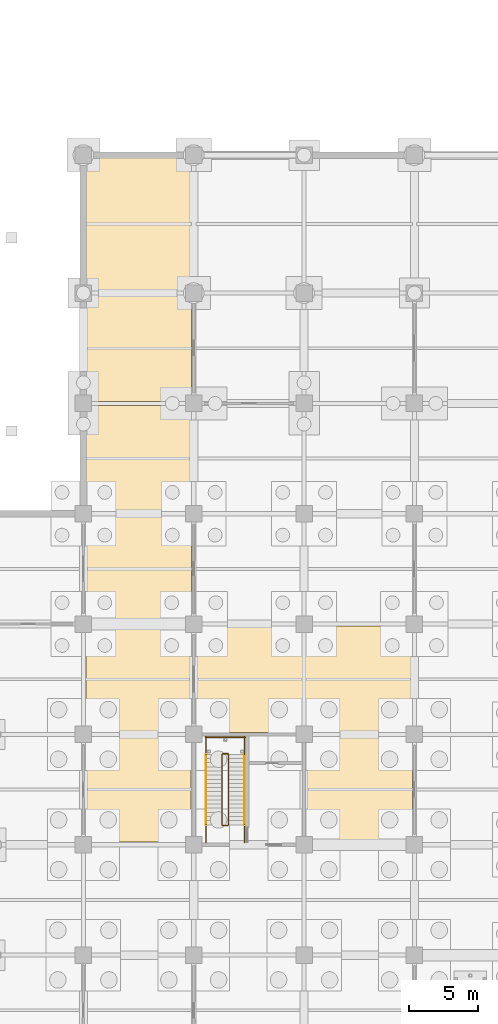
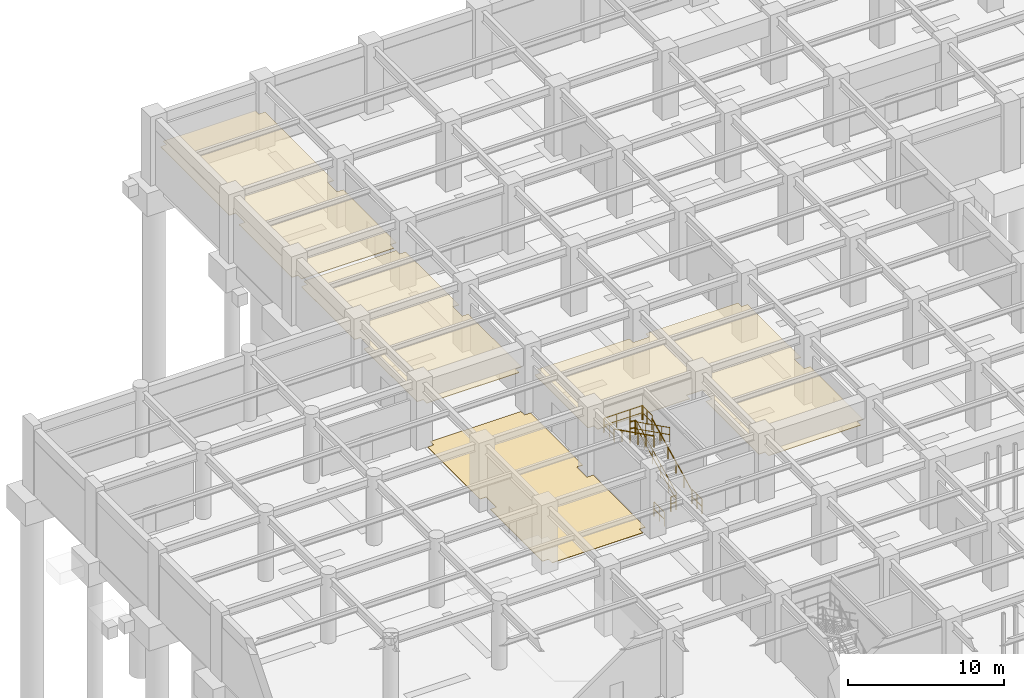
# One storey, part 95 of 97: 11 railings, 4 coverings.
"""IFC4 building model written with IfcOpenShell, lengths in metres."""

from ifc_helpers import new_model, si_unit, direction, frame, origin, origin_2d, place, context, subcontext, project, spatial, polyline, circle, outline, extrude, material, layer, layer_set, type_object, element, save


model = new_model("IFC4")

# Units and contexts
model_context = context("Model", 3, precision=1e-05, world=origin(), true_north=direction((0.0, 1.0)))
body_context = subcontext(model_context, "Body", "Model", "MODEL_VIEW")
ifc_project = project(units=[si_unit("LENGTHUNIT", "METRE"), si_unit("AREAUNIT", "SQUARE_METRE"), si_unit("VOLUMEUNIT", "CUBIC_METRE"), si_unit("PLANEANGLEUNIT", "RADIAN"), si_unit("MASSUNIT", "GRAM", prefix="KILO")], contexts=[model_context])

# Site, building, storey
site_placement = place(None, origin())
site = spatial("IfcSite", under=ifc_project, at=site_placement, CompositionType="ELEMENT")
building_placement = place(site_placement, origin())
building = spatial("IfcBuilding", under=site, at=building_placement, Name="Haebicheon Civic Stadium", CompositionType="ELEMENT")
storey_placement = place(building_placement, frame((0.0, 0.0, -5.39990234375)))
storey = spatial("IfcBuildingStorey", under=building, at=storey_placement, Name="B1", CompositionType="ELEMENT", Elevation=-5.39990234375)

# Coverings
ifc_material_1 = material(Name="Perforated mineral-fibre acoustic board", Category="gypsum")
ifc_layer_1 = layer(ifc_material_1, 0.0400390625, Name="Perforated mineral-fibre acoustic board")
ifc_layer_set_1 = layer_set([ifc_layer_1], Name="Perforated mineral-fibre acoustic board")
covering_type_1 = type_object("IfcCoveringType", Name="COV-CLG-AC", PredefinedType="CEILING", material=ifc_layer_set_1)
covering_1_placement = place(storey_placement, frame((0.0, 0.0, 2.809814453125)))
element("IfcCovering", 1, at=covering_1_placement, inside=storey, type_object=covering_type_1, material=ifc_layer_set_1, Name="B1 Athlete Indoor Warm-Up Sprint Hall acoustic ceiling", PredefinedType="CEILING", context=body_context, shape_type="SweptSolid", body=[
    extrude(outline(polyline([(24.594970703125, 144.14501953125), (24.594970703125, 144.594970703125), (24.14501953125, 144.594970703125), (24.14501953125, 151.405029296875), (24.594970703125, 151.405029296875), (24.594970703125, 152.594970703125), (24.14501953125, 152.594970703125), (24.14501953125, 159.405029296875), (24.594970703125, 159.405029296875), (24.594970703125, 159.85498046875), (31.405029296875, 159.85498046875), (31.405029296875, 159.405029296875), (31.85498046875, 159.405029296875), (31.85498046875, 152.594970703125), (31.405029296875, 152.594970703125), (31.405029296875, 151.405029296875), (31.85498046875, 151.405029296875), (31.85498046875, 144.594970703125), (31.405029296875, 144.594970703125), (31.405029296875, 144.14501953125), (24.594970703125, 144.14501953125)])), origin(), (0.0, 0.0, 1.0), 0.0400390625),
])
covering_2_placement = place(storey_placement, frame((0.0, 0.0, 2.809814453125)))
element("IfcCovering", 2, at=covering_2_placement, inside=storey, type_object=covering_type_1, material=ifc_layer_set_1, Name="B1 Match Officials Locker Suite acoustic ceiling", PredefinedType="CEILING", context=body_context, shape_type="SweptSolid", body=[
    extrude(outline(polyline([(24.594970703125, 160.14501953125), (24.594970703125, 160.594970703125), (24.14501953125, 160.594970703125), (24.14501953125, 167.405029296875), (24.594970703125, 167.405029296875), (24.594970703125, 168.594970703125), (24.14501953125, 168.594970703125), (24.14501953125, 177.405029296875), (24.594970703125, 177.405029296875), (24.594970703125, 177.85498046875), (31.405029296875, 177.85498046875), (31.405029296875, 177.405029296875), (31.85498046875, 177.405029296875), (31.85498046875, 168.594970703125), (31.405029296875, 168.594970703125), (31.405029296875, 167.405029296875), (31.85498046875, 167.405029296875), (31.85498046875, 160.594970703125), (31.405029296875, 160.594970703125), (31.405029296875, 160.14501953125), (24.594970703125, 160.14501953125)])), origin(), (0.0, 0.0, 1.0), 0.0400390625),
])
covering_3_placement = place(storey_placement, frame((0.0, 0.0, 2.809814453125)))
element("IfcCovering", 3, at=covering_3_placement, inside=storey, type_object=covering_type_1, material=ifc_layer_set_1, Name="B1 Post-Match Press Conference Hall acoustic ceiling", PredefinedType="CEILING", context=body_context, shape_type="SweptSolid", body=[
    extrude(outline(polyline([(40.594970703125, 128.14501953125), (40.594970703125, 128.594970703125), (40.14501953125, 128.594970703125), (40.14501953125, 135.405029296875), (40.594970703125, 135.405029296875), (40.594970703125, 136.594970703125), (39.405029296875, 136.594970703125), (39.405029296875, 136.14501953125), (32.594970703125, 136.14501953125), (32.594970703125, 136.594970703125), (32.14501953125, 136.594970703125), (32.14501953125, 143.405029296875), (32.594970703125, 143.405029296875), (32.594970703125, 143.85498046875), (39.405029296875, 143.85498046875), (39.405029296875, 143.405029296875), (40.594970703125, 143.405029296875), (40.594970703125, 143.85498046875), (47.405029296875, 143.85498046875), (47.405029296875, 143.405029296875), (47.85498046875, 143.405029296875), (47.85498046875, 136.594970703125), (47.405029296875, 136.594970703125), (47.405029296875, 135.405029296875), (47.85498046875, 135.405029296875), (47.85498046875, 128.594970703125), (47.405029296875, 128.594970703125), (47.405029296875, 128.14501953125), (40.594970703125, 128.14501953125)])), origin(), (0.0, 0.0, 1.0), 0.0400390625),
])
ifc_material_2 = material(Name="Quartz epoxy resin mortar", Category="concrete")
ifc_layer_2 = layer(ifc_material_2, 0.030029296875, Name="Quartz epoxy resin mortar")
ifc_layer_set_2 = layer_set([ifc_layer_2], Name="Quartz epoxy resin mortar")
covering_type_2 = type_object("IfcCoveringType", Name="COV-FLR-EPX", PredefinedType="FLOORING", material=ifc_layer_set_2)
covering_4_placement = place(storey_placement, origin())
element("IfcCovering", 4, at=covering_4_placement, inside=storey, type_object=covering_type_2, material=ifc_layer_set_2, Name="B1 Visiting Team Changing Room non-slip floor finish", PredefinedType="FLOORING", context=body_context, shape_type="SweptSolid", body=[
    extrude(outline(polyline([(24.64990234375, 128.199951171875), (24.64990234375, 128.64990234375), (24.199951171875, 128.64990234375), (24.199951171875, 135.35009765625), (24.64990234375, 135.35009765625), (24.64990234375, 136.64990234375), (24.199951171875, 136.64990234375), (24.199951171875, 143.35009765625), (24.64990234375, 143.35009765625), (24.64990234375, 143.800048828125), (31.35009765625, 143.800048828125), (31.35009765625, 143.35009765625), (31.800048828125, 143.35009765625), (31.800048828125, 136.64990234375), (31.35009765625, 136.64990234375), (31.35009765625, 135.35009765625), (31.800048828125, 135.35009765625), (31.800048828125, 128.64990234375), (31.35009765625, 128.64990234375), (31.35009765625, 128.199951171875), (24.64990234375, 128.199951171875)])), origin(), (0.0, 0.0, 1.0), 0.02978515625),
])

# Railings
ifc_material_3 = material(Name="Galvanised painted steel SM355", Category="steel")
railing_type_1 = type_object("IfcRailingType", Name="RL-GRD-1150", PredefinedType="GUARDRAIL", material=ifc_material_3)
railing_1_placement = place(storey_placement, frame((34.530029296875, 129.449951171875, 0.14990234375)))
element("IfcRailing", 5, at=railing_1_placement, inside=storey, type_object=railing_type_1, material=ifc_material_3, Name="B1 ST-05 stair guard 1", PredefinedType="GUARDRAIL", context=body_context, shape_type="SweptSolid", body=[
    extrude(circle(Radius=0.02392578125, at=origin_2d()), frame((0.0, 0.0, 1.1259765625), z_axis=(0.0, 0.894427191, 0.4472135955), x_axis=(-1.0, 0.0, 0.0)), (0.0, 0.0, 1.0), 5.7021484375),
    extrude(circle(Radius=0.02392578125, at=origin_2d()), frame((0.0, 0.0, 0.574951171875), z_axis=(0.0, 0.894427191, 0.4472135955), x_axis=(-1.0, 0.0, 0.0)), (0.0, 0.0, 1.0), 5.7021484375),
    extrude(circle(Radius=0.02099609375, at=origin_2d()), origin(), (0.0, 0.0, 1.0), 1.101806640625),
    extrude(circle(Radius=0.02099609375, at=origin_2d()), frame((0.0, 1.02001953125, 0.510009765625)), (0.0, 0.0, 1.0), 1.101806640625),
    extrude(circle(Radius=0.02099609375, at=origin_2d()), frame((0.0, 2.0400390625, 1.02001953125)), (0.0, 0.0, 1.0), 1.101806640625),
    extrude(circle(Radius=0.02099609375, at=origin_2d()), frame((0.0, 3.06005859375, 1.530029296875)), (0.0, 0.0, 1.0), 1.101806640625),
    extrude(circle(Radius=0.02099609375, at=origin_2d()), frame((0.0, 4.080078125, 2.0400390625)), (0.0, 0.0, 1.0), 1.101806640625),
    extrude(circle(Radius=0.02099609375, at=origin_2d()), frame((0.0, 5.10009765625, 2.550048828125)), (0.0, 0.0, 1.0), 1.101806640625),
])
railing_2_placement = place(storey_placement, frame((34.47998046875, 134.60009765625, 2.699951171875)))
element("IfcRailing", 6, at=railing_2_placement, inside=storey, type_object=railing_type_1, material=ifc_material_3, Name="B1 ST-05 stair guard 2", PredefinedType="GUARDRAIL", context=body_context, shape_type="SweptSolid", body=[
    extrude(circle(Radius=0.02392578125, at=origin_2d()), frame((0.0, 0.0, 1.1259765625), z_axis=(-1.0, 0.0, 0.0), x_axis=(0.0, -1.0, 0.0)), (0.0, 0.0, 1.0), 0.3798828125),
    extrude(circle(Radius=0.02392578125, at=origin_2d()), frame((0.0, 0.0, 0.574951171875), z_axis=(-1.0, 0.0, 0.0), x_axis=(0.0, -1.0, 0.0)), (0.0, 0.0, 1.0), 0.3798828125),
    extrude(circle(Radius=0.02099609375, at=origin_2d()), origin(), (0.0, 0.0, 1.0), 1.101806640625),
    extrude(circle(Radius=0.02099609375, at=origin_2d()), frame((-0.3798828125, 0.0, 0.0)), (0.0, 0.0, 1.0), 1.101806640625),
])
for number, where, name in (
    (7, (35.68994140625, 134.550048828125, 2.699951171875), "B1 ST-05 stair guard 3"),
    (8, (32.889892578125, 134.550048828125, 2.699951171875), "B1 ST-05 stair guard 4"),
):
    element("IfcRailing", number, at=place(storey_placement, frame(where)), inside=storey, type_object=railing_type_1, material=ifc_material_3, Name=name, PredefinedType="GUARDRAIL", context=body_context, shape_type="SweptSolid", body=[
        extrude(circle(Radius=0.02392578125, at=origin_2d()), frame((0.0, 0.0, 1.1259765625), z_axis=(0.0, 1.0, 0.0), x_axis=(-1.0, 0.0, 0.0)), (0.0, 0.0, 1.0), 1.2900390625),
        extrude(circle(Radius=0.02392578125, at=origin_2d()), frame((0.0, 0.0, 0.574951171875), z_axis=(0.0, 1.0, 0.0), x_axis=(-1.0, 0.0, 0.0)), (0.0, 0.0, 1.0), 1.2900390625),
        extrude(circle(Radius=0.02099609375, at=origin_2d()), origin(), (0.0, 0.0, 1.0), 1.101806640625),
        extrude(circle(Radius=0.02099609375, at=origin_2d()), frame((0.0, 0.64501953125, 0.0)), (0.0, 0.0, 1.0), 1.101806640625),
        extrude(circle(Radius=0.02099609375, at=origin_2d()), frame((0.0, 1.2900390625, 0.0)), (0.0, 0.0, 1.0), 1.101806640625),
    ])
railing_3_placement = place(storey_placement, frame((35.739990234375, 135.7900390625, 2.699951171875)))
element("IfcRailing", 9, at=railing_3_placement, inside=storey, type_object=railing_type_1, material=ifc_material_3, Name="B1 ST-05 stair guard 5", PredefinedType="GUARDRAIL", context=body_context, shape_type="SweptSolid", body=[
    extrude(circle(Radius=0.02392578125, at=origin_2d()), frame((0.0, 0.0, 1.1259765625), z_axis=(-1.0, 0.0, 0.0), x_axis=(0.0, -1.0, 0.0)), (0.0, 0.0, 1.0), 2.89990234375),
    extrude(circle(Radius=0.02392578125, at=origin_2d()), frame((0.0, 0.0, 0.574951171875), z_axis=(-1.0, 0.0, 0.0), x_axis=(0.0, -1.0, 0.0)), (0.0, 0.0, 1.0), 2.89990234375),
    extrude(circle(Radius=0.02099609375, at=origin_2d()), origin(), (0.0, 0.0, 1.0), 1.101806640625),
    extrude(circle(Radius=0.02099609375, at=origin_2d()), frame((-0.966552734375, 0.0, 0.0)), (0.0, 0.0, 1.0), 1.101806640625),
    extrude(circle(Radius=0.02099609375, at=origin_2d()), frame((-1.933349609375, 0.0, 0.0)), (0.0, 0.0, 1.0), 1.101806640625),
    extrude(circle(Radius=0.02099609375, at=origin_2d()), frame((-2.89990234375, 0.0, 0.0)), (0.0, 0.0, 1.0), 1.101806640625),
])
railing_4_placement = place(storey_placement, frame((34.050048828125, 134.550048828125, 2.849853515625)))
element("IfcRailing", 10, at=railing_4_placement, inside=storey, type_object=railing_type_1, material=ifc_material_3, Name="B1 ST-05 stair guard 6", PredefinedType="GUARDRAIL", context=body_context, shape_type="SweptSolid", body=[
    extrude(circle(Radius=0.02392578125, at=origin_2d()), frame((0.0, 0.0, 1.1259765625), z_axis=(0.0, -0.894427191, 0.4472135955), x_axis=(1.0, 0.0, 0.0)), (0.0, 0.0, 1.0), 5.7021484375),
    extrude(circle(Radius=0.02392578125, at=origin_2d()), frame((0.0, 0.0, 0.574951171875), z_axis=(0.0, -0.894427191, 0.4472135955), x_axis=(1.0, 0.0, 0.0)), (0.0, 0.0, 1.0), 5.7021484375),
    extrude(circle(Radius=0.02099609375, at=origin_2d()), origin(), (0.0, 0.0, 1.0), 1.101806640625),
    extrude(circle(Radius=0.02099609375, at=origin_2d()), frame((0.0, -1.02001953125, 0.510009765625)), (0.0, 0.0, 1.0), 1.101806640625),
    extrude(circle(Radius=0.02099609375, at=origin_2d()), frame((0.0, -2.0400390625, 1.02001953125)), (0.0, 0.0, 1.0), 1.101806640625),
    extrude(circle(Radius=0.02099609375, at=origin_2d()), frame((0.0, -3.06005859375, 1.530029296875)), (0.0, 0.0, 1.0), 1.101806640625),
    extrude(circle(Radius=0.02099609375, at=origin_2d()), frame((0.0, -4.080078125, 2.0400390625)), (0.0, 0.0, 1.0), 1.101806640625),
    extrude(circle(Radius=0.02099609375, at=origin_2d()), frame((0.0, -5.10009765625, 2.550048828125)), (0.0, 0.0, 1.0), 1.101806640625),
])
railing_5_placement = place(storey_placement, frame((34.47998046875, 129.39990234375, 0.0)))
element("IfcRailing", 11, at=railing_5_placement, inside=storey, type_object=railing_type_1, material=ifc_material_3, Name="B1 ST-05 stair guard 7", PredefinedType="GUARDRAIL", context=body_context, shape_type="SweptSolid", body=[
    extrude(circle(Radius=0.02392578125, at=origin_2d()), frame((0.0, 0.0, 1.1259765625), z_axis=(-1.0, 0.0, 0.0), x_axis=(0.0, -1.0, 0.0)), (0.0, 0.0, 1.0), 0.3798828125),
    extrude(circle(Radius=0.02392578125, at=origin_2d()), frame((0.0, 0.0, 0.574951171875), z_axis=(-1.0, 0.0, 0.0), x_axis=(0.0, -1.0, 0.0)), (0.0, 0.0, 1.0), 0.3798828125),
    extrude(circle(Radius=0.02099609375, at=origin_2d()), origin(), (0.0, 0.0, 1.0), 1.101806640625),
    extrude(circle(Radius=0.02099609375, at=origin_2d()), frame((-0.3798828125, 0.0, 0.0)), (0.0, 0.0, 1.0), 1.101806640625),
])
for number, where, name in (
    (12, (35.68994140625, 128.159912109375, 0.0), "B1 ST-05 stair guard 8"),
    (13, (32.889892578125, 128.159912109375, 0.0), "B1 ST-05 stair guard 9"),
):
    element("IfcRailing", number, at=place(storey_placement, frame(where)), inside=storey, type_object=railing_type_1, material=ifc_material_3, Name=name, PredefinedType="GUARDRAIL", context=body_context, shape_type="SweptSolid", body=[
        extrude(circle(Radius=0.02392578125, at=origin_2d()), frame((0.0, 0.0, 1.1259765625), z_axis=(0.0, 1.0, 0.0), x_axis=(-1.0, 0.0, 0.0)), (0.0, 0.0, 1.0), 1.2900390625),
        extrude(circle(Radius=0.02392578125, at=origin_2d()), frame((0.0, 0.0, 0.574951171875), z_axis=(0.0, 1.0, 0.0), x_axis=(-1.0, 0.0, 0.0)), (0.0, 0.0, 1.0), 1.2900390625),
        extrude(circle(Radius=0.02099609375, at=origin_2d()), origin(), (0.0, 0.0, 1.0), 1.101806640625),
        extrude(circle(Radius=0.02099609375, at=origin_2d()), frame((0.0, 0.64501953125, 0.0)), (0.0, 0.0, 1.0), 1.101806640625),
        extrude(circle(Radius=0.02099609375, at=origin_2d()), frame((0.0, 1.2900390625, 0.0)), (0.0, 0.0, 1.0), 1.101806640625),
    ])
ifc_material_4 = material(Name="Stainless steel 316", Category="steel")
railing_type_2 = type_object("IfcRailingType", Name="RL-HND-900", PredefinedType="HANDRAIL", material=ifc_material_4)
railing_6_placement = place(storey_placement, frame((35.68994140625, 129.449951171875, 0.14990234375)))
element("IfcRailing", 14, at=railing_6_placement, inside=storey, type_object=railing_type_2, material=ifc_material_4, Name="B1 ST-05 stair handrail 1", PredefinedType="HANDRAIL", context=body_context, shape_type="SweptSolid", body=[
    extrude(circle(Radius=0.02392578125, at=origin_2d()), frame((0.0, 0.0, 0.8759765625), z_axis=(0.0, 0.894427191, 0.4472135955), x_axis=(-1.0, 0.0, 0.0)), (0.0, 0.0, 1.0), 5.7021484375),
    extrude(circle(Radius=0.02099609375, at=origin_2d()), origin(), (0.0, 0.0, 1.0), 0.851806640625),
    extrude(circle(Radius=0.02099609375, at=origin_2d()), frame((0.0, 1.02001953125, 0.510009765625)), (0.0, 0.0, 1.0), 0.851806640625),
    extrude(circle(Radius=0.02099609375, at=origin_2d()), frame((0.0, 2.0400390625, 1.02001953125)), (0.0, 0.0, 1.0), 0.851806640625),
    extrude(circle(Radius=0.02099609375, at=origin_2d()), frame((0.0, 3.06005859375, 1.530029296875)), (0.0, 0.0, 1.0), 0.851806640625),
    extrude(circle(Radius=0.02099609375, at=origin_2d()), frame((0.0, 4.080078125, 2.0400390625)), (0.0, 0.0, 1.0), 0.851806640625),
    extrude(circle(Radius=0.02099609375, at=origin_2d()), frame((0.0, 5.10009765625, 2.550048828125)), (0.0, 0.0, 1.0), 0.851806640625),
])
railing_7_placement = place(storey_placement, frame((32.889892578125, 134.550048828125, 2.849853515625)))
element("IfcRailing", 15, at=railing_7_placement, inside=storey, type_object=railing_type_2, material=ifc_material_4, Name="B1 ST-05 stair handrail 2", PredefinedType="HANDRAIL", context=body_context, shape_type="SweptSolid", body=[
    extrude(circle(Radius=0.02392578125, at=origin_2d()), frame((0.0, 0.0, 0.8759765625), z_axis=(0.0, -0.894427191, 0.4472135955), x_axis=(1.0, 0.0, 0.0)), (0.0, 0.0, 1.0), 5.7021484375),
    extrude(circle(Radius=0.02099609375, at=origin_2d()), origin(), (0.0, 0.0, 1.0), 0.851806640625),
    extrude(circle(Radius=0.02099609375, at=origin_2d()), frame((0.0, -1.02001953125, 0.510009765625)), (0.0, 0.0, 1.0), 0.851806640625),
    extrude(circle(Radius=0.02099609375, at=origin_2d()), frame((0.0, -2.0400390625, 1.02001953125)), (0.0, 0.0, 1.0), 0.851806640625),
    extrude(circle(Radius=0.02099609375, at=origin_2d()), frame((0.0, -3.06005859375, 1.530029296875)), (0.0, 0.0, 1.0), 0.851806640625),
    extrude(circle(Radius=0.02099609375, at=origin_2d()), frame((0.0, -4.080078125, 2.0400390625)), (0.0, 0.0, 1.0), 0.851806640625),
    extrude(circle(Radius=0.02099609375, at=origin_2d()), frame((0.0, -5.10009765625, 2.550048828125)), (0.0, 0.0, 1.0), 0.851806640625),
])

save(model, "model.ifc")
